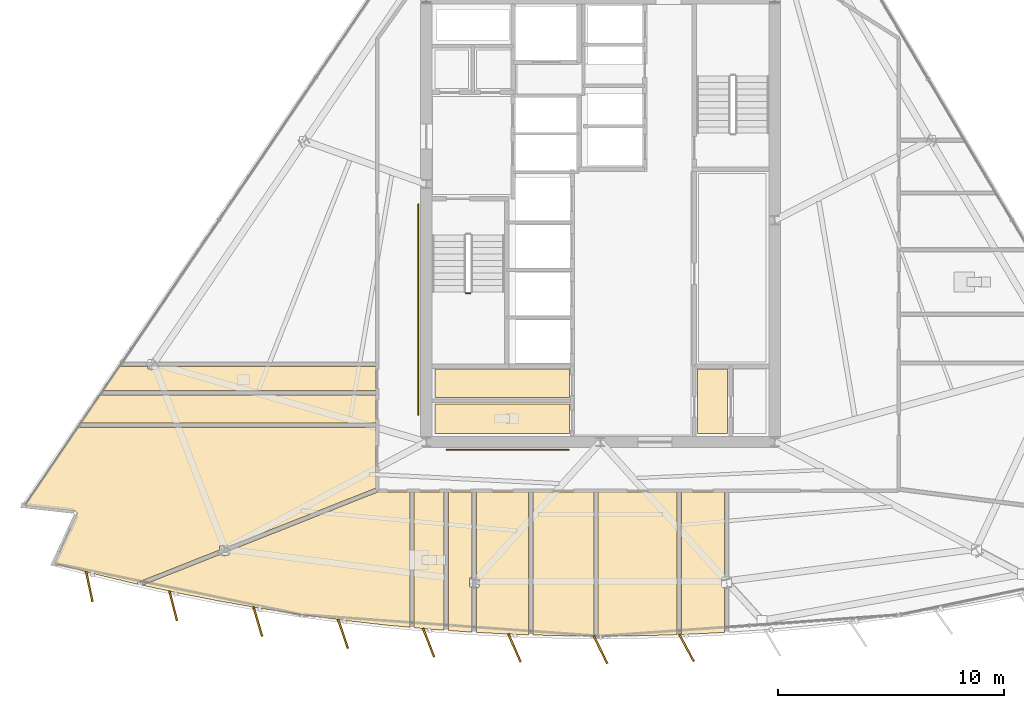
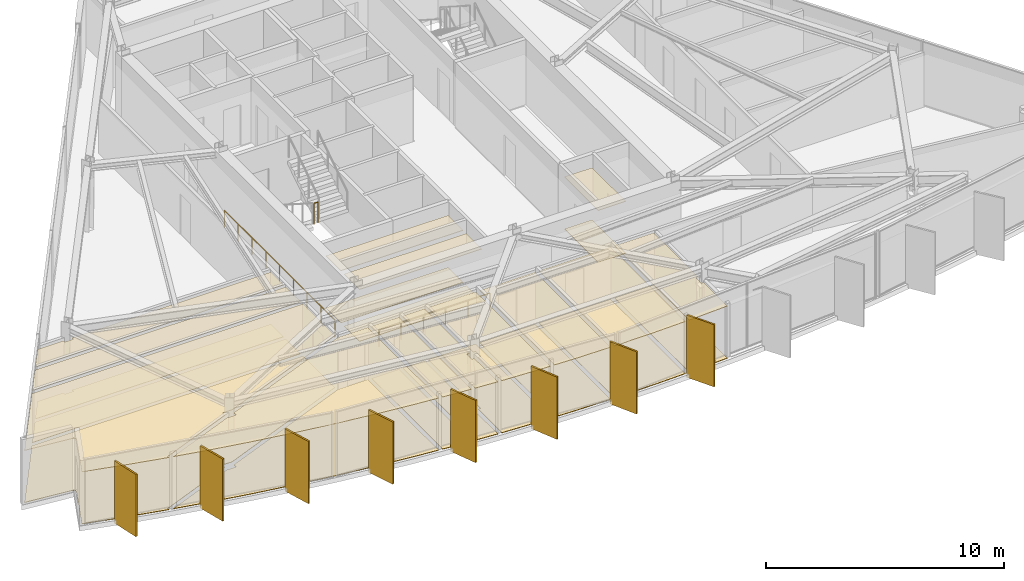
# One storey, part 11 of 15: 26 coverings, 8 shading devices, 3 railings.
"""IFC4 building model written with IfcOpenShell, lengths in metres."""

from ifc_helpers import new_model, si_unit, direction, frame, origin, origin_2d, place, context, subcontext, project, spatial, polyline, rectangle, circle, outline, extrude, material, layer, layer_set, type_object, element, save


model = new_model("IFC4")

# Units and contexts
model_context = context("Model", 3, precision=1e-05, world=origin(), true_north=direction((0.0, 1.0)))
body_context = subcontext(model_context, "Body", "Model", "MODEL_VIEW")
ifc_project = project(units=[si_unit("LENGTHUNIT", "METRE"), si_unit("AREAUNIT", "SQUARE_METRE"), si_unit("VOLUMEUNIT", "CUBIC_METRE"), si_unit("PLANEANGLEUNIT", "RADIAN"), si_unit("MASSUNIT", "GRAM", prefix="KILO")], contexts=[model_context])

# Site, building, storey
site_placement = place(None, origin())
site = spatial("IfcSite", under=ifc_project, at=site_placement, CompositionType="ELEMENT")
building_placement = place(site_placement, origin())
building = spatial("IfcBuilding", under=site, at=building_placement, Name="Savorim Split Tower", CompositionType="ELEMENT")
storey_placement = place(building_placement, frame((0.0, 0.0, 212.699951171875)))
storey = spatial("IfcBuildingStorey", under=building, at=storey_placement, Name="L56", CompositionType="ELEMENT", Elevation=212.699951171875)

# Coverings
ifc_material_1 = material(Name="Mineral Fibre Acoustic Ceiling")
ifc_layer_1 = layer(ifc_material_1, 0.02490234375)
ifc_layer_set_1 = layer_set([ifc_layer_1], Name="COV-CEIL-25")
covering_type_1 = type_object("IfcCoveringType", Name="COV-CEIL-25", PredefinedType="CEILING", material=ifc_layer_set_1)
covering_1_placement = place(storey_placement, frame((0.0, 0.0, 2.670166015625)))
element("IfcCovering", 1, at=covering_1_placement, inside=storey, type_object=covering_type_1, Name="L56 Cleaning Store Acoustic Ceiling", PredefinedType="CEILING", context=body_context, shape_type="SweptSolid", body=[
    extrude(outline(polyline([(-7.320068359375, -6.179931640625), (-7.320068359375, -7.43994140625), (-1.3798828125, -7.43994140625), (-1.3798828125, -6.179931640625), (-7.320068359375, -6.179931640625)])), origin(), (0.0, 0.0, 1.0), 0.02490234375),
])
covering_2_placement = place(storey_placement, frame((0.0, 0.0, 2.670166015625)))
element("IfcCovering", 2, at=covering_2_placement, inside=storey, type_object=covering_type_1, Name="L56 Public WC Acoustic Ceiling", PredefinedType="CEILING", context=body_context, shape_type="SweptSolid", body=[
    extrude(outline(polyline([(-7.320068359375, -7.719970703125), (-7.320068359375, -9.02001953125), (-1.3798828125, -9.02001953125), (-1.3798828125, -7.719970703125), (-7.320068359375, -7.719970703125)])), origin(), (0.0, 0.0, 1.0), 0.02490234375),
])
covering_3_placement = place(storey_placement, frame((0.0, 0.0, 2.670166015625)))
element("IfcCovering", 3, at=covering_3_placement, inside=storey, type_object=covering_type_1, Name="L56 Vending Pantry Acoustic Ceiling", PredefinedType="CEILING", context=body_context, shape_type="SweptSolid", body=[
    extrude(outline(polyline([(4.280029296875, -6.179931640625), (4.280029296875, -9.02001953125), (5.6201171875, -9.02001953125), (5.6201171875, -6.179931640625), (4.280029296875, -6.179931640625)])), origin(), (0.0, 0.0, 1.0), 0.02490234375),
])
covering_4_placement = place(storey_placement, frame((0.0, 0.0, 2.670166015625)))
element("IfcCovering", 4, at=covering_4_placement, inside=storey, type_object=covering_type_1, Name="L56 Shared Kitchen Acoustic Ceiling", PredefinedType="CEILING", context=body_context, shape_type="SweptSolid", body=[
    extrude(outline(polyline([(-21.14013671875, -6.056884765625), (-21.235107421875, -6.056884765625), (-21.235107421875, -6.012451171875), (-21.99365234375, -7.12744140625), (-9.919921875, -7.12744140625), (-9.919921875, -6.056884765625), (-19.58447265625, -6.056884765625), (-19.58447265625, -6.165283203125), (-20.00244140625, -6.165283203125), (-20.00244140625, -6.056884765625), (-21.14013671875, -6.056884765625)])), origin(), (0.0, 0.0, 1.0), 0.02490234375),
])
covering_5_placement = place(storey_placement, frame((0.0, 0.0, 2.670166015625)))
element("IfcCovering", 5, at=covering_5_placement, inside=storey, type_object=covering_type_1, Name="L56 Quiet Study Room Acoustic Ceiling", PredefinedType="CEILING", context=body_context, shape_type="SweptSolid", body=[
    extrude(outline(polyline([(-9.919921875, -8.5634765625), (-9.919921875, -7.3173828125), (-22.122802734375, -7.3173828125), (-22.970703125, -8.5634765625), (-9.919921875, -8.5634765625)])), origin(), (0.0, 0.0, 1.0), 0.02490234375),
])
covering_6_placement = place(storey_placement, frame((0.0, 0.0, 2.670166015625)))
element("IfcCovering", 6, at=covering_6_placement, inside=storey, type_object=covering_type_1, Name="L56 Co-Working Commons Acoustic Ceiling", PredefinedType="CEILING", context=body_context, shape_type="SweptSolid", body=[
    extrude(outline(polyline([(-23.142822265625, -12.572998046875), (-23.143798828125, -12.5849609375), (-23.14599609375, -12.5966796875), (-23.149169921875, -12.608154296875), (-23.15380859375, -12.619384765625), (-24.1416015625, -14.769775390625), (-22.450439453125, -15.2119140625), (-20.61279296875, -15.652587890625), (-20.427001953125, -15.693115234375), (-20.460693359375, -15.608154296875), (-16.842041015625, -14.17578125), (-16.842041015625, -13.99169921875), (-16.424072265625, -13.99169921875), (-16.424072265625, -14.01025390625), (-9.944091796875, -11.4453125), (-9.919921875, -11.435546875), (-9.919921875, -8.75341796875), (-23.099853515625, -8.75341796875), (-25.447509765625, -12.20458984375), (-23.24951171875, -12.449951171875), (-23.237548828125, -12.451904296875), (-23.22607421875, -12.454833984375), (-23.21484375, -12.458984375), (-23.2041015625, -12.46435546875), (-23.194091796875, -12.470703125), (-23.184814453125, -12.47802734375), (-23.176025390625, -12.486328125), (-23.168212890625, -12.495361328125), (-23.161376953125, -12.5048828125), (-23.155517578125, -12.515380859375), (-23.150634765625, -12.5263671875), (-23.14697265625, -12.53759765625), (-23.144287109375, -12.54931640625), (-23.14306640625, -12.561279296875), (-23.142822265625, -12.572998046875)])), origin(), (0.0, 0.0, 1.0), 0.02490234375),
])
covering_7_placement = place(storey_placement, frame((0.0, 0.0, 2.670166015625)))
element("IfcCovering", 7, at=covering_7_placement, inside=storey, type_object=covering_type_1, Name="L56 Co-Working Commons Acoustic Ceiling", PredefinedType="CEILING", context=body_context, shape_type="SweptSolid", body=[
    extrude(outline(polyline([(-13.18359375, -17.03662109375), (-11.310302734375, -17.287109375), (-9.4326171875, -17.49951171875), (-8.42578125, -17.59228515625), (-8.42578125, -11.6201171875), (-9.780029296875, -11.6201171875), (-9.793701171875, -11.619384765625), (-9.807373046875, -11.6171875), (-9.820556640625, -11.614013671875), (-9.83349609375, -11.609375), (-9.837646484375, -11.607421875), (-16.424072265625, -14.214599609375), (-16.424072265625, -14.398681640625), (-16.842041015625, -14.398681640625), (-16.842041015625, -14.380126953125), (-20.254150390625, -15.73095703125), (-18.7666015625, -16.055419921875), (-16.912353515625, -16.420654296875), (-15.051025390625, -16.74755859375), (-13.18359375, -17.03662109375)])), origin(), (0.0, 0.0, 1.0), 0.02490234375),
])
covering_8_placement = place(storey_placement, frame((0.0, 0.0, 2.670166015625)))
element("IfcCovering", 8, at=covering_8_placement, inside=storey, type_object=covering_type_1, Name="L56 Shared Bathroom Acoustic Ceiling", PredefinedType="CEILING", context=body_context, shape_type="SweptSolid", body=[
    extrude(outline(polyline([(-6.91259765625, -11.6201171875), (-8.23583984375, -11.6201171875), (-8.23583984375, -17.60986328125), (-7.55078125, -17.673095703125), (-6.91259765625, -17.718994140625), (-6.91259765625, -11.6201171875)])), origin(), (0.0, 0.0, 1.0), 0.02490234375),
])
covering_9_placement = place(storey_placement, frame((0.0, 0.0, 2.670166015625)))
element("IfcCovering", 9, at=covering_9_placement, inside=storey, type_object=covering_type_1, Name="L56 Maker Workshop Acoustic Ceiling", PredefinedType="CEILING", context=body_context, shape_type="SweptSolid", body=[
    extrude(outline(polyline([(-5.78369140625, -15.41162109375), (-5.669677734375, -15.41162109375), (-5.669677734375, -11.6201171875), (-6.72265625, -11.6201171875), (-6.72265625, -17.732666015625), (-5.669677734375, -17.80810546875), (-5.669677734375, -15.818603515625), (-5.78369140625, -15.818603515625), (-5.78369140625, -15.41162109375)])), origin(), (0.0, 0.0, 1.0), 0.02490234375),
])
covering_10_placement = place(storey_placement, frame((0.0, 0.0, 2.670166015625)))
element("IfcCovering", 10, at=covering_10_placement, inside=storey, type_object=covering_type_1, Name="L56 Co-Working Commons Acoustic Ceiling", PredefinedType="CEILING", context=body_context, shape_type="SweptSolid", body=[
    extrude(outline(polyline([(-5.4794921875, -17.762939453125), (-5.4794921875, -17.818115234375), (-3.778564453125, -17.905029296875), (-3.1748046875, -17.923583984375), (-3.1748046875, -11.6201171875), (-5.4794921875, -11.6201171875), (-5.4794921875, -15.41162109375), (-5.365478515625, -15.41162109375), (-5.365478515625, -15.818603515625), (-5.4794921875, -15.818603515625), (-5.4794921875, -17.762939453125)])), origin(), (0.0, 0.0, 1.0), 0.02490234375),
])
covering_11_placement = place(storey_placement, frame((0.0, 0.0, 2.670166015625)))
element("IfcCovering", 11, at=covering_11_placement, inside=storey, type_object=covering_type_1, Name="L56 Co-Working Commons Acoustic Ceiling", PredefinedType="CEILING", context=body_context, shape_type="SweptSolid", body=[
    extrude(outline(polyline([(-2.98486328125, -11.6201171875), (-2.98486328125, -17.929443359375), (-1.8896484375, -17.962890625), (-0.2900390625, -17.9794921875), (-0.2900390625, -11.6201171875), (-2.98486328125, -11.6201171875)])), origin(), (0.0, 0.0, 1.0), 0.02490234375),
])
covering_12_placement = place(storey_placement, frame((0.0, 0.0, 2.670166015625)))
element("IfcCovering", 12, at=covering_12_placement, inside=storey, type_object=covering_type_1, Name="L56 Co-Working Commons Acoustic Ceiling", PredefinedType="CEILING", context=body_context, shape_type="SweptSolid", body=[
    extrude(outline(polyline([(-0.10009765625, -17.9814453125), (0.0, -17.982421875), (1.8896484375, -17.962890625), (3.3798828125, -17.917236328125), (3.3798828125, -11.6201171875), (-0.10009765625, -11.6201171875), (-0.10009765625, -17.9814453125)])), origin(), (0.0, 0.0, 1.0), 0.02490234375),
])
covering_13_placement = place(storey_placement, frame((0.0, 0.0, 2.670166015625)))
element("IfcCovering", 13, at=covering_13_placement, inside=storey, type_object=covering_type_1, Name="L56 Co-Working Commons Acoustic Ceiling", PredefinedType="CEILING", context=body_context, shape_type="SweptSolid", body=[
    extrude(outline(polyline([(5.4794921875, -11.6201171875), (3.56982421875, -11.6201171875), (3.56982421875, -17.91162109375), (3.778564453125, -17.905029296875), (5.4794921875, -17.818115234375), (5.4794921875, -15.818603515625), (5.365478515625, -15.818603515625), (5.365478515625, -15.41162109375), (5.4794921875, -15.41162109375), (5.4794921875, -11.6201171875)])), origin(), (0.0, 0.0, 1.0), 0.02490234375),
])
ifc_material_2 = material(Name="Porcelain Stoneware Flooring", Category="masonry")
ifc_layer_2 = layer(ifc_material_2, 0.02001953125)
ifc_layer_set_2 = layer_set([ifc_layer_2], Name="COV-FLOR-20")
covering_type_2 = type_object("IfcCoveringType", Name="COV-FLOR-20", PredefinedType="FLOORING", material=ifc_layer_set_2)
covering_14_placement = place(storey_placement, origin())
element("IfcCovering", 14, at=covering_14_placement, inside=storey, type_object=covering_type_2, Name="L56 Cleaning Store Porcelain Flooring", PredefinedType="FLOORING", context=body_context, shape_type="SweptSolid", body=[
    extrude(outline(polyline([(-7.320068359375, -6.179931640625), (-7.320068359375, -7.43994140625), (-1.3798828125, -7.43994140625), (-1.3798828125, -6.179931640625), (-7.320068359375, -6.179931640625)])), origin(), (0.0, 0.0, 1.0), 0.02001953125),
])
covering_15_placement = place(storey_placement, origin())
element("IfcCovering", 15, at=covering_15_placement, inside=storey, type_object=covering_type_2, Name="L56 Public WC Porcelain Flooring", PredefinedType="FLOORING", context=body_context, shape_type="SweptSolid", body=[
    extrude(outline(polyline([(-7.320068359375, -7.719970703125), (-7.320068359375, -9.02001953125), (-1.3798828125, -9.02001953125), (-1.3798828125, -7.719970703125), (-7.320068359375, -7.719970703125)])), origin(), (0.0, 0.0, 1.0), 0.02001953125),
])
covering_16_placement = place(storey_placement, origin())
element("IfcCovering", 16, at=covering_16_placement, inside=storey, type_object=covering_type_2, Name="L56 Vending Pantry Porcelain Flooring", PredefinedType="FLOORING", context=body_context, shape_type="SweptSolid", body=[
    extrude(outline(polyline([(4.280029296875, -6.179931640625), (4.280029296875, -9.02001953125), (5.6201171875, -9.02001953125), (5.6201171875, -6.179931640625), (4.280029296875, -6.179931640625)])), origin(), (0.0, 0.0, 1.0), 0.02001953125),
])
covering_17_placement = place(storey_placement, origin())
element("IfcCovering", 17, at=covering_17_placement, inside=storey, type_object=covering_type_2, Name="L56 Shared Kitchen Porcelain Flooring", PredefinedType="FLOORING", context=body_context, shape_type="SweptSolid", body=[
    extrude(outline(polyline([(-21.14013671875, -6.056884765625), (-21.235107421875, -6.056884765625), (-21.235107421875, -6.012451171875), (-21.99365234375, -7.12744140625), (-9.919921875, -7.12744140625), (-9.919921875, -6.056884765625), (-19.58447265625, -6.056884765625), (-19.58447265625, -6.165283203125), (-20.00244140625, -6.165283203125), (-20.00244140625, -6.056884765625), (-21.14013671875, -6.056884765625)])), origin(), (0.0, 0.0, 1.0), 0.02001953125),
])
covering_18_placement = place(storey_placement, origin())
element("IfcCovering", 18, at=covering_18_placement, inside=storey, type_object=covering_type_2, Name="L56 Quiet Study Room Porcelain Flooring", PredefinedType="FLOORING", context=body_context, shape_type="SweptSolid", body=[
    extrude(outline(polyline([(-9.919921875, -8.5634765625), (-9.919921875, -7.3173828125), (-22.122802734375, -7.3173828125), (-22.970703125, -8.5634765625), (-9.919921875, -8.5634765625)])), origin(), (0.0, 0.0, 1.0), 0.02001953125),
])
covering_19_placement = place(storey_placement, origin())
element("IfcCovering", 19, at=covering_19_placement, inside=storey, type_object=covering_type_2, Name="L56 Co-Working Commons Porcelain Flooring", PredefinedType="FLOORING", context=body_context, shape_type="SweptSolid", body=[
    extrude(outline(polyline([(-23.142822265625, -12.572998046875), (-23.143798828125, -12.5849609375), (-23.14599609375, -12.5966796875), (-23.149169921875, -12.608154296875), (-23.15380859375, -12.619384765625), (-24.1416015625, -14.769775390625), (-22.450439453125, -15.2119140625), (-20.61279296875, -15.652587890625), (-20.427001953125, -15.693115234375), (-20.460693359375, -15.608154296875), (-16.842041015625, -14.17578125), (-16.842041015625, -13.99169921875), (-16.424072265625, -13.99169921875), (-16.424072265625, -14.01025390625), (-9.944091796875, -11.4453125), (-9.919921875, -11.435546875), (-9.919921875, -8.75341796875), (-23.099853515625, -8.75341796875), (-25.447509765625, -12.20458984375), (-23.24951171875, -12.449951171875), (-23.237548828125, -12.451904296875), (-23.22607421875, -12.454833984375), (-23.21484375, -12.458984375), (-23.2041015625, -12.46435546875), (-23.194091796875, -12.470703125), (-23.184814453125, -12.47802734375), (-23.176025390625, -12.486328125), (-23.168212890625, -12.495361328125), (-23.161376953125, -12.5048828125), (-23.155517578125, -12.515380859375), (-23.150634765625, -12.5263671875), (-23.14697265625, -12.53759765625), (-23.144287109375, -12.54931640625), (-23.14306640625, -12.561279296875), (-23.142822265625, -12.572998046875)])), origin(), (0.0, 0.0, 1.0), 0.02001953125),
])
covering_20_placement = place(storey_placement, origin())
element("IfcCovering", 20, at=covering_20_placement, inside=storey, type_object=covering_type_2, Name="L56 Co-Working Commons Porcelain Flooring", PredefinedType="FLOORING", context=body_context, shape_type="SweptSolid", body=[
    extrude(outline(polyline([(-13.18359375, -17.03662109375), (-11.310302734375, -17.287109375), (-9.4326171875, -17.49951171875), (-8.42578125, -17.59228515625), (-8.42578125, -11.6201171875), (-9.780029296875, -11.6201171875), (-9.793701171875, -11.619384765625), (-9.807373046875, -11.6171875), (-9.820556640625, -11.614013671875), (-9.83349609375, -11.609375), (-9.837646484375, -11.607421875), (-16.424072265625, -14.214599609375), (-16.424072265625, -14.398681640625), (-16.842041015625, -14.398681640625), (-16.842041015625, -14.380126953125), (-20.254150390625, -15.73095703125), (-18.7666015625, -16.055419921875), (-16.912353515625, -16.420654296875), (-15.051025390625, -16.74755859375), (-13.18359375, -17.03662109375)])), origin(), (0.0, 0.0, 1.0), 0.02001953125),
])
covering_21_placement = place(storey_placement, origin())
element("IfcCovering", 21, at=covering_21_placement, inside=storey, type_object=covering_type_2, Name="L56 Shared Bathroom Porcelain Flooring", PredefinedType="FLOORING", context=body_context, shape_type="SweptSolid", body=[
    extrude(outline(polyline([(-6.91259765625, -11.6201171875), (-8.23583984375, -11.6201171875), (-8.23583984375, -17.60986328125), (-7.55078125, -17.673095703125), (-6.91259765625, -17.718994140625), (-6.91259765625, -11.6201171875)])), origin(), (0.0, 0.0, 1.0), 0.02001953125),
])
covering_22_placement = place(storey_placement, origin())
element("IfcCovering", 22, at=covering_22_placement, inside=storey, type_object=covering_type_2, Name="L56 Maker Workshop Porcelain Flooring", PredefinedType="FLOORING", context=body_context, shape_type="SweptSolid", body=[
    extrude(outline(polyline([(-5.78369140625, -15.41162109375), (-5.669677734375, -15.41162109375), (-5.669677734375, -11.6201171875), (-6.72265625, -11.6201171875), (-6.72265625, -17.732666015625), (-5.669677734375, -17.80810546875), (-5.669677734375, -15.818603515625), (-5.78369140625, -15.818603515625), (-5.78369140625, -15.41162109375)])), origin(), (0.0, 0.0, 1.0), 0.02001953125),
])
covering_23_placement = place(storey_placement, origin())
element("IfcCovering", 23, at=covering_23_placement, inside=storey, type_object=covering_type_2, Name="L56 Co-Working Commons Porcelain Flooring", PredefinedType="FLOORING", context=body_context, shape_type="SweptSolid", body=[
    extrude(outline(polyline([(-5.4794921875, -17.762939453125), (-5.4794921875, -17.818115234375), (-3.778564453125, -17.905029296875), (-3.1748046875, -17.923583984375), (-3.1748046875, -11.6201171875), (-5.4794921875, -11.6201171875), (-5.4794921875, -15.41162109375), (-5.365478515625, -15.41162109375), (-5.365478515625, -15.818603515625), (-5.4794921875, -15.818603515625), (-5.4794921875, -17.762939453125)])), origin(), (0.0, 0.0, 1.0), 0.02001953125),
])
covering_24_placement = place(storey_placement, origin())
element("IfcCovering", 24, at=covering_24_placement, inside=storey, type_object=covering_type_2, Name="L56 Co-Working Commons Porcelain Flooring", PredefinedType="FLOORING", context=body_context, shape_type="SweptSolid", body=[
    extrude(outline(polyline([(-2.98486328125, -11.6201171875), (-2.98486328125, -17.929443359375), (-1.8896484375, -17.962890625), (-0.2900390625, -17.9794921875), (-0.2900390625, -11.6201171875), (-2.98486328125, -11.6201171875)])), origin(), (0.0, 0.0, 1.0), 0.02001953125),
])
covering_25_placement = place(storey_placement, origin())
element("IfcCovering", 25, at=covering_25_placement, inside=storey, type_object=covering_type_2, Name="L56 Co-Working Commons Porcelain Flooring", PredefinedType="FLOORING", context=body_context, shape_type="SweptSolid", body=[
    extrude(outline(polyline([(-0.10009765625, -17.9814453125), (0.0, -17.982421875), (1.8896484375, -17.962890625), (3.3798828125, -17.917236328125), (3.3798828125, -11.6201171875), (-0.10009765625, -11.6201171875), (-0.10009765625, -17.9814453125)])), origin(), (0.0, 0.0, 1.0), 0.02001953125),
])
covering_26_placement = place(storey_placement, origin())
element("IfcCovering", 26, at=covering_26_placement, inside=storey, type_object=covering_type_2, Name="L56 Co-Working Commons Porcelain Flooring", PredefinedType="FLOORING", context=body_context, shape_type="SweptSolid", body=[
    extrude(outline(polyline([(5.4794921875, -11.6201171875), (3.56982421875, -11.6201171875), (3.56982421875, -17.91162109375), (3.778564453125, -17.905029296875), (5.4794921875, -17.818115234375), (5.4794921875, -15.818603515625), (5.365478515625, -15.818603515625), (5.365478515625, -15.41162109375), (5.4794921875, -15.41162109375), (5.4794921875, -11.6201171875)])), origin(), (0.0, 0.0, 1.0), 0.02001953125),
])

# Railings
ifc_material_3 = material(Name="Galvanised Painted Steel Balustrade", Category="steel")
railing_type_1 = type_object("IfcRailingType", Name="RLG-HR-900", PredefinedType="HANDRAIL", material=ifc_material_3)
railing_1_placement = place(storey_placement, frame((-6.800048828125, -9.75, 0.0)))
element("IfcRailing", 27, at=railing_1_placement, inside=storey, type_object=railing_type_1, Name="L56 Corridor South Accessible Handrail", PredefinedType="HANDRAIL", context=body_context, shape_type="SweptSolid", body=[
    extrude(circle(Radius=0.02392578125, at=origin_2d()), frame((0.0, 0.0, 0.8759765625), z_axis=(1.0, 0.0, 0.0), x_axis=(0.0, 1.0, 0.0)), (0.0, 0.0, 1.0), 5.400146484375),
    extrude(circle(Radius=0.02099609375, at=origin_2d()), origin(), (0.0, 0.0, 1.0), 0.851806640625),
    extrude(circle(Radius=0.02099609375, at=origin_2d()), frame((1.080078125, 0.0, 0.0)), (0.0, 0.0, 1.0), 0.851806640625),
    extrude(circle(Radius=0.02099609375, at=origin_2d()), frame((2.16015625, 0.0, 0.0)), (0.0, 0.0, 1.0), 0.851806640625),
    extrude(circle(Radius=0.02099609375, at=origin_2d()), frame((3.239990234375, 0.0, 0.0)), (0.0, 0.0, 1.0), 0.851806640625),
    extrude(circle(Radius=0.02099609375, at=origin_2d()), frame((4.320068359375, 0.0, 0.0)), (0.0, 0.0, 1.0), 0.851806640625),
    extrude(circle(Radius=0.02099609375, at=origin_2d()), frame((5.400146484375, 0.0, 0.0)), (0.0, 0.0, 1.0), 0.851806640625),
])
railing_2_placement = place(storey_placement, frame((-8.050048828125, -8.199951171875, 0.0)))
element("IfcRailing", 28, at=railing_2_placement, inside=storey, type_object=railing_type_1, Name="L56 Corridor West Accessible Handrail", PredefinedType="HANDRAIL", context=body_context, shape_type="SweptSolid", body=[
    extrude(circle(Radius=0.02392578125, at=origin_2d()), frame((0.0, 0.0, 0.8759765625), z_axis=(0.0, 1.0, 0.0), x_axis=(-1.0, 0.0, 0.0)), (0.0, 0.0, 1.0), 9.300048828125),
    extrude(circle(Radius=0.02099609375, at=origin_2d()), origin(), (0.0, 0.0, 1.0), 0.851806640625),
    extrude(circle(Radius=0.02099609375, at=origin_2d()), frame((0.0, 1.16259765625, 0.0)), (0.0, 0.0, 1.0), 0.851806640625),
    extrude(circle(Radius=0.02099609375, at=origin_2d()), frame((0.0, 2.324951171875, 0.0)), (0.0, 0.0, 1.0), 0.851806640625),
    extrude(circle(Radius=0.02099609375, at=origin_2d()), frame((0.0, 3.487548828125, 0.0)), (0.0, 0.0, 1.0), 0.851806640625),
    extrude(circle(Radius=0.02099609375, at=origin_2d()), frame((0.0, 4.64990234375, 0.0)), (0.0, 0.0, 1.0), 0.851806640625),
    extrude(circle(Radius=0.02099609375, at=origin_2d()), frame((0.0, 5.8125, 0.0)), (0.0, 0.0, 1.0), 0.851806640625),
    extrude(circle(Radius=0.02099609375, at=origin_2d()), frame((0.0, 6.97509765625, 0.0)), (0.0, 0.0, 1.0), 0.851806640625),
    extrude(circle(Radius=0.02099609375, at=origin_2d()), frame((0.0, 8.137451171875, 0.0)), (0.0, 0.0, 1.0), 0.851806640625),
    extrude(circle(Radius=0.02099609375, at=origin_2d()), frame((0.0, 9.300048828125, 0.0)), (0.0, 0.0, 1.0), 0.851806640625),
])
railing_type_2 = type_object("IfcRailingType", Name="RLG-STG-1100", PredefinedType="BALUSTRADE", material=ifc_material_3)
railing_3_placement = place(storey_placement, frame((-5.949951171875, -2.820068359375, 1.800048828125)))
element("IfcRailing", 29, at=railing_3_placement, inside=storey, type_object=railing_type_2, Name="L56 ST-1 stair guard 2", PredefinedType="BALUSTRADE", context=body_context, shape_type="SweptSolid", body=[
    extrude(circle(Radius=0.02392578125, at=origin_2d()), frame((0.0, 0.0, 1.076171875), z_axis=(1.0, 0.0, 0.0), x_axis=(0.0, 1.0, 0.0)), (0.0, 0.0, 1.0), 0.199951171875),
    extrude(circle(Radius=0.02099609375, at=origin_2d()), origin(), (0.0, 0.0, 1.0), 1.052001953125),
    extrude(circle(Radius=0.02099609375, at=origin_2d()), frame((0.199951171875, 0.0, 0.0)), (0.0, 0.0, 1.0), 1.052001953125),
])

# Shading devices
ifc_material_4 = material(Name="Terracotta Ceramic-Coated Aluminium Fin", Category="masonry")
shading_device_type = type_object("IfcShadingDeviceType", Name="SHD-FIN-1360", PredefinedType="USERDEFINED", material=ifc_material_4)
for number, where, z_axis, x_axis, name in (
    (30, (-22.595458984375, -15.7900390625, -0.19970703125), (0.0, 0.0, 1.0), (0.206721626106, -0.978399800337, 0.0), "L56 Sawtooth Shading Fin 01"),
    (31, (-18.8876953125, -16.63916015625, -0.19970703125), (0.0, 0.0, 1.0), (0.246581250663, -0.969122121727, 0.0), "L56 Sawtooth Shading Fin 02"),
    (32, (-15.148193359375, -17.335693359375, -0.19970703125), (0.0, 0.0, 1.0), (0.286026212504, -0.958221793616, 0.0), "L56 Sawtooth Shading Fin 03"),
    (33, (-11.38330078125, -17.878662109375, -0.19970703125), (0.0, 0.0, 1.0), (0.324993810493, -0.945716143005, 0.0), "L56 Sawtooth Shading Fin 04"),
    (34, (-7.599609375, -18.26708984375, -0.19970703125), (0.0, 0.0, 1.0), (0.363415461732, -0.931627179817, 0.0), "L56 Sawtooth Shading Fin 05"),
    (35, (-3.802978515625, -18.50048828125, -0.19970703125), (0.0, 0.0, 1.0), (0.401230091723, -0.915977299662, 0.0), "L56 Sawtooth Shading Fin 06"),
    (36, (0.0, -18.578369140625, -0.19970703125), (0.0, 0.0, 1.0), (0.438371146789, -0.898794046299, 0.0), "L56 Sawtooth Shading Fin 07"),
    (37, (3.802978515625, -18.50048828125, -0.19970703125), (0.0, 0.0, 1.0), (0.474778051978, -0.880105562623, 0.0), "L56 Sawtooth Shading Fin 08"),
):
    element("IfcShadingDevice", number, at=place(storey_placement, frame(where, z_axis=z_axis, x_axis=x_axis)), inside=storey, type_object=shading_device_type, Name=name, ObjectType="FIN", PredefinedType="USERDEFINED", context=body_context, shape_type="SweptSolid", body=[
        extrude(rectangle(XDim=1.360107421875, YDim=0.080078125, at=origin_2d()), origin(), (0.0, 0.0, 1.0), 3.199951171875),
    ])

save(model, "model.ifc")
